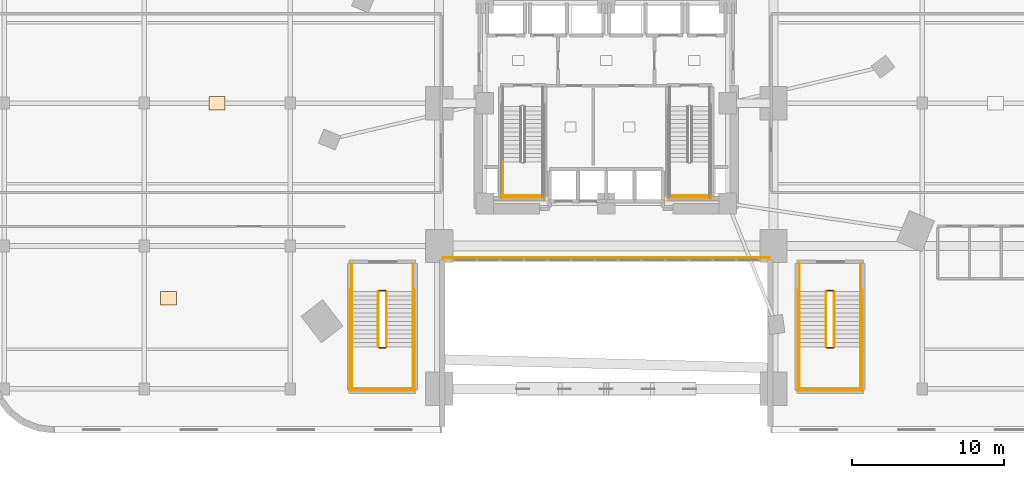
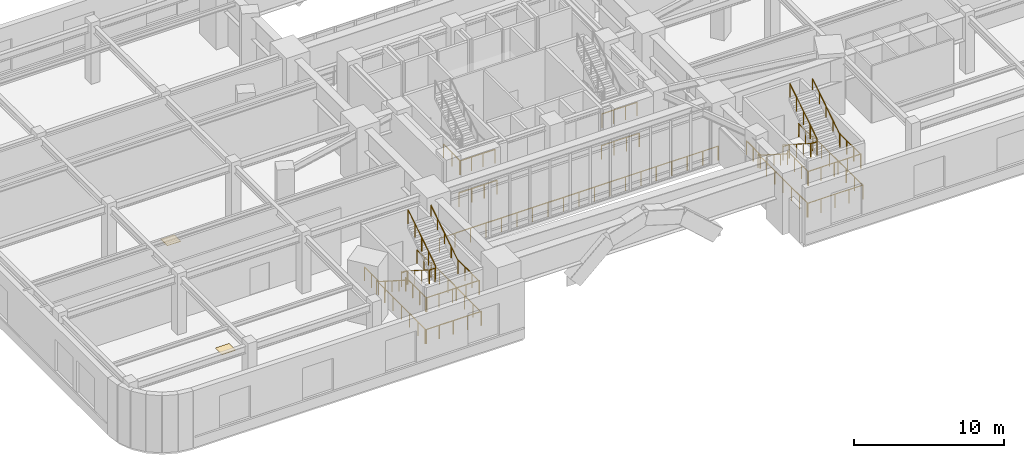
# One storey, part 23 of 25: 34 railings, 2 coverings.
"""IFC4 building model written with IfcOpenShell, lengths in metres."""

import ifcopenshell
import ifcopenshell.guid

model = None  # the IFC model being written
_history = None  # IfcOwnerHistory: only IFC2X3 demands one
_inside = {}  # id of a spatial element -> (the spatial element, [elements in it])
_under = {}  # id of a project, library or spatial element -> (it, [spatial elements below it])
_declared = {}  # id of a project -> (the project, [libraries it declares])
_typed = {}  # id of a type object -> (the type object, [elements of that type])
_made_of = {}  # id of a material, layer set ... -> (it, [elements and type objects made of it])


def new_model(schema):
    """Start an empty IFC model of exactly this schema.

    Asked for "IFC4X3", IfcOpenShell would pick the latest addendum, in which some entities
    have other attributes; the version numbers below select the first issue.
    IFC2X3 requires an IfcOwnerHistory on every rooted entity: one is made here for all.
    """
    global model, _history
    if schema == "IFC4X3":
        model = ifcopenshell.file(schema_version=(4, 3, 0, 0))
    else:
        model = ifcopenshell.file(schema=schema)
    _inside.clear()
    _under.clear()
    _declared.clear()
    _typed.clear()
    _made_of.clear()
    _history = None
    if model.schema == "IFC2X3":
        org = make("IfcOrganization", Name="unknown")
        user = make(
            "IfcPersonAndOrganization",
            ThePerson=make("IfcPerson", FamilyName="unknown"),
            TheOrganization=org,
        )
        app = make(
            "IfcApplication",
            ApplicationDeveloper=org,
            Version="unknown",
            ApplicationFullName="unknown",
            ApplicationIdentifier="unknown",
        )
        _history = make(
            "IfcOwnerHistory",
            OwningUser=user,
            OwningApplication=app,
            ChangeAction="ADDED",
            CreationDate=0,
        )
    return model


def make(cls, **values):
    """One entity of the class cls with the attributes given. An attribute that is None is left unset."""
    return model.create_entity(
        cls, **{name: value for name, value in values.items() if value is not None}
    )


def rooted(cls, **values):
    """An entity with a GlobalId (a new one), such as an element, a storey or a relation."""
    return make(cls, GlobalId=ifcopenshell.guid.new(), OwnerHistory=_history, **values)


def si_unit(unit_type, name, prefix=None):
    """IfcSIUnit, for example si_unit("LENGTHUNIT", "METRE", prefix="MILLI")."""
    return make("IfcSIUnit", UnitType=unit_type, Prefix=prefix, Name=name)


def assignment(units):
    """IfcUnitAssignment: the units of a project."""
    return None if units is None else make("IfcUnitAssignment", Units=units)


def point(xyz):
    """IfcCartesianPoint."""
    return None if xyz is None else make("IfcCartesianPoint", Coordinates=xyz)


def direction(xyz):
    """IfcDirection."""
    return None if xyz is None else make("IfcDirection", DirectionRatios=xyz)


def frame(location, z_axis=None, x_axis=None):
    """IfcAxis2Placement3D, a coordinate frame: its origin and axes. An axis left out is left unset."""
    return make(
        "IfcAxis2Placement3D",
        Location=point(location),
        Axis=direction(z_axis),
        RefDirection=direction(x_axis),
    )


def frame_2d(location, x_axis=None):
    """IfcAxis2Placement2D, a coordinate frame in the plane: its origin and x axis."""
    return make(
        "IfcAxis2Placement2D", Location=point(location), RefDirection=direction(x_axis)
    )


def origin():
    """The frame at (0, 0, 0) with its axes left unset."""
    return frame((0.0, 0.0, 0.0))


def origin_2d():
    """The frame at (0, 0) in the plane with its x axis left unset."""
    return frame_2d((0.0, 0.0))


def place(relative_to, where):
    """IfcLocalPlacement: puts the frame where relative to a parent placement (None: the world)."""
    return make(
        "IfcLocalPlacement", PlacementRelTo=relative_to, RelativePlacement=where
    )


def context(
    kind, dimensions, precision=None, world=None, true_north=None, identifier=None
):
    """IfcGeometricRepresentationContext, for example the 3D "Model" context."""
    return make(
        "IfcGeometricRepresentationContext",
        ContextIdentifier=identifier,
        ContextType=kind,
        CoordinateSpaceDimension=dimensions,
        Precision=precision,
        WorldCoordinateSystem=world,
        TrueNorth=true_north,
    )


def subcontext(parent, identifier, kind, view, scale=None):
    """IfcGeometricRepresentationSubContext, for example "Body" below "Model"."""
    return make(
        "IfcGeometricRepresentationSubContext",
        ContextIdentifier=identifier,
        ContextType=kind,
        ParentContext=parent,
        TargetScale=scale,
        TargetView=view,
    )


def project(units=None, contexts=None):
    """IfcProject with its units and contexts."""
    return rooted(
        "IfcProject",
        Name="project",
        RepresentationContexts=contexts,
        UnitsInContext=assignment(units),
    )


def spatial(cls, under=None, at=None, **own):
    """A site, building, storey or space (cls), placed at a placement, below another one or the project."""
    s = rooted(cls, ObjectPlacement=at, **own)
    if under is not None:
        _under.setdefault(under.id(), (under, []))[1].append(s)
    return s


def profile(cls, at=None, kind="AREA", **sizes):
    """A parametric profile (cls). Its sizes go by their IFC names, for example OverallWidth=200.0."""
    return make(cls, ProfileType=kind, Position=at, **sizes)


def rectangle(**sizes):
    """IfcRectangleProfileDef."""
    return profile("IfcRectangleProfileDef", **sizes)


def circle(**sizes):
    """IfcCircleProfileDef."""
    return profile("IfcCircleProfileDef", **sizes)


def extrude(swept, where, along, depth):
    """IfcExtrudedAreaSolid: the profile swept, set in the frame where, extruded along a direction by depth."""
    return make(
        "IfcExtrudedAreaSolid",
        SweptArea=swept,
        Position=where,
        ExtrudedDirection=direction(along),
        Depth=depth,
    )


def shape(context_of_items, identifier, shape_type, items):
    """IfcShapeRepresentation: the items that make up one representation, for example the "Body"."""
    return make(
        "IfcShapeRepresentation",
        ContextOfItems=context_of_items,
        RepresentationIdentifier=identifier,
        RepresentationType=shape_type,
        Items=items,
    )


def material(Name=None, Category=None):
    """IfcMaterial."""
    return make("IfcMaterial", Name=Name, Category=Category)


def layer(
    of_material, thickness, ventilated=None, Name=None, Category=None, Priority=None
):
    """IfcMaterialLayer: one layer of a wall or slab, of a material (None: an air gap)."""
    return make(
        "IfcMaterialLayer",
        Material=of_material,
        LayerThickness=thickness,
        IsVentilated=ventilated,
        Name=Name,
        Category=Category,
        Priority=Priority,
    )


def layer_set(layers, Name=None):
    """IfcMaterialLayerSet."""
    return make("IfcMaterialLayerSet", MaterialLayers=layers, LayerSetName=Name)


def made_of(thing, what):
    """Note that an element or type object is made of a material, layer set ...; save() writes the relation."""
    if what is not None:
        _made_of.setdefault(what.id(), (what, []))[1].append(thing)
    return thing


def type_object(cls, material=None, **own):
    """A type object (cls), such as IfcWallType, which elements share."""
    return made_of(rooted(cls, **own), material)


def element(
    cls,
    number,
    at=None,
    inside=None,
    cuts=None,
    type_object=None,
    material=None,
    context=None,
    identifier="Body",
    shape_type=None,
    held_by="IfcProductDefinitionShape",
    body=None,
    shapes=None,
    **own,
):
    """One element of the class cls, such as IfcWall. Its Tag is "e" and its number.

    at: its placement. inside: the storey or other place that contains it. cuts: it is an
    opening in that element (IfcRelVoidsElement). A single representation is given by context,
    identifier, shape_type and body (its items); several are given by shapes. held_by: the class
    of the entity that holds the representations. save() writes the other relations.
    """
    e = rooted(cls, Tag="e%d" % number, ObjectPlacement=at, **own)
    if body is not None:
        shapes = [shape(context, identifier, shape_type, body)]
    if shapes is not None:
        e.Representation = make(held_by, Representations=shapes)
    if inside is not None:
        _inside.setdefault(inside.id(), (inside, []))[1].append(e)
    if cuts is not None:
        rooted(
            "IfcRelVoidsElement", RelatingBuildingElement=cuts, RelatedOpeningElement=e
        )
    if type_object is not None:
        _typed.setdefault(type_object.id(), (type_object, []))[1].append(e)
    return made_of(e, material)


def aggregate(whole, parts):
    """IfcRelAggregates: a whole, such as a stair, and the parts it consists of."""
    return rooted("IfcRelAggregates", RelatingObject=whole, RelatedObjects=parts)


def save(model, path):
    """Write the relations noted so far, then the file.

    IfcRelAggregates (storeys below a building ...), IfcRelContainedInSpatialStructure (elements
    in a storey), IfcRelDefinesByType, IfcRelAssociatesMaterial and IfcRelDeclares: one each for
    every whole, place, type object, material and project.
    """
    for whole, parts in _under.values():
        aggregate(whole, parts)
    for where, things in _inside.values():
        rooted(
            "IfcRelContainedInSpatialStructure",
            RelatedElements=things,
            RelatingStructure=where,
        )
    for kind, things in _typed.values():
        rooted("IfcRelDefinesByType", RelatedObjects=things, RelatingType=kind)
    for what, things in _made_of.values():
        rooted("IfcRelAssociatesMaterial", RelatedObjects=things, RelatingMaterial=what)
    for by, libraries in _declared.values():
        rooted("IfcRelDeclares", RelatingContext=by, RelatedDefinitions=libraries)
    model.write(path)


model = new_model("IFC4")

# Units and contexts
model_context = context("Model", 3, precision=1e-05, world=origin(), true_north=direction((0.0, 1.0)))
body_context = subcontext(model_context, "Body", "Model", "MODEL_VIEW")
ifc_project = project(units=[si_unit("LENGTHUNIT", "METRE"), si_unit("AREAUNIT", "SQUARE_METRE"), si_unit("VOLUMEUNIT", "CUBIC_METRE"), si_unit("PLANEANGLEUNIT", "RADIAN"), si_unit("MASSUNIT", "GRAM", prefix="KILO")], contexts=[model_context])

# Site, building, storey
site_placement = place(None, origin())
site = spatial("IfcSite", under=ifc_project, at=site_placement, CompositionType="ELEMENT")
building_placement = place(site_placement, origin())
building = spatial("IfcBuilding", under=site, at=building_placement, Name="Ndelora Gate Hotel", CompositionType="ELEMENT")
storey_placement = place(building_placement, frame((0.0, 0.0, 11.0)))
storey = spatial("IfcBuildingStorey", under=building, at=storey_placement, Name="L02", CompositionType="ELEMENT", Elevation=11.0)

# Coverings
ifc_material_1 = material(Name="Engineered Highland Oak Parquet", Category="wood")
ifc_layer_1 = layer(ifc_material_1, 0.030029296875)
ifc_layer_set_1 = layer_set([ifc_layer_1], Name="Engineered Highland Oak Parquet")
covering_type = type_object("IfcCoveringType", Name="COV-FLR-PARQ", PredefinedType="FLOORING", material=ifc_layer_set_1)
for number, where, z_axis, x_axis, name in (
    (1, (-25.625, 0.0, 0.0), (0.0, 0.0, 1.0), (1.0, 0.0, 0.0), "L02 Portal Arch Sculpture Salon Oak Parquet Flooring"),
    (2, (-28.800048828125, -12.82861328125, 0.0), (0.0, 0.0, 1.0), (1.0, 0.0, 0.0), "L02 Private Sommelier Tasting Room Oak Parquet Flooring"),
):
    element("IfcCovering", number, at=place(storey_placement, frame(where, z_axis=z_axis, x_axis=x_axis)), inside=storey, type_object=covering_type, Name=name, PredefinedType="FLOORING", context=body_context, shape_type="SweptSolid", body=[
        extrude(rectangle(XDim=1.050048828125, YDim=0.89990234375, at=origin_2d()), origin(), (0.0, 0.0, 1.0), 0.030029296875),
    ])

# Railings
ifc_material_2 = material(Name="Laminated Safety Glass and Bronze Top Rail", Category="glass")
ifc_layer_2 = layer(ifc_material_2, 0.070068359375)
ifc_layer_set_2 = layer_set([ifc_layer_2], Name="Laminated Safety Glass and Bronze Top Rail")
railing_type_1 = type_object("IfcRailingType", Name="RL-BAL-1150", PredefinedType="BALUSTRADE", material=ifc_layer_set_2)
railing_1_placement = place(storey_placement, frame((-10.75, -10.179931640625, 0.0)))
element("IfcRailing", 3, at=railing_1_placement, inside=storey, type_object=railing_type_1, Name="L02 Portal Arch Atrium Edge Guard S-BRIDGE", PredefinedType="BALUSTRADE", context=body_context, shape_type="SweptSolid", body=[
    extrude(circle(Radius=0.02392578125, at=origin_2d()), frame((0.0, 0.0, 1.1357421875), z_axis=(1.0, 0.0, 0.0), x_axis=(0.0, 1.0, 0.0)), (0.0, 0.0, 1.0), 21.5),
    extrude(circle(Radius=0.02099609375, at=origin_2d()), origin(), (0.0, 0.0, 1.0), 1.11181640625),
    extrude(circle(Radius=0.02099609375, at=origin_2d()), frame((1.1943359375, 0.0, 0.0)), (0.0, 0.0, 1.0), 1.11181640625),
    extrude(circle(Radius=0.02099609375, at=origin_2d()), frame((2.388916015625, 0.0, 0.0)), (0.0, 0.0, 1.0), 1.11181640625),
    extrude(circle(Radius=0.02099609375, at=origin_2d()), frame((3.583251953125, 0.0, 0.0)), (0.0, 0.0, 1.0), 1.11181640625),
    extrude(circle(Radius=0.02099609375, at=origin_2d()), frame((4.77783203125, 0.0, 0.0)), (0.0, 0.0, 1.0), 1.11181640625),
    extrude(circle(Radius=0.02099609375, at=origin_2d()), frame((5.97216796875, 0.0, 0.0)), (0.0, 0.0, 1.0), 1.11181640625),
    extrude(circle(Radius=0.02099609375, at=origin_2d()), frame((7.166748046875, 0.0, 0.0)), (0.0, 0.0, 1.0), 1.11181640625),
    extrude(circle(Radius=0.02099609375, at=origin_2d()), frame((8.361083984375, 0.0, 0.0)), (0.0, 0.0, 1.0), 1.11181640625),
    extrude(circle(Radius=0.02099609375, at=origin_2d()), frame((9.5556640625, 0.0, 0.0)), (0.0, 0.0, 1.0), 1.11181640625),
    extrude(circle(Radius=0.02099609375, at=origin_2d()), frame((10.75, 0.0, 0.0)), (0.0, 0.0, 1.0), 1.11181640625),
    extrude(circle(Radius=0.02099609375, at=origin_2d()), frame((11.9443359375, 0.0, 0.0)), (0.0, 0.0, 1.0), 1.11181640625),
    extrude(circle(Radius=0.02099609375, at=origin_2d()), frame((13.138916015625, 0.0, 0.0)), (0.0, 0.0, 1.0), 1.11181640625),
    extrude(circle(Radius=0.02099609375, at=origin_2d()), frame((14.333251953125, 0.0, 0.0)), (0.0, 0.0, 1.0), 1.11181640625),
    extrude(circle(Radius=0.02099609375, at=origin_2d()), frame((15.52783203125, 0.0, 0.0)), (0.0, 0.0, 1.0), 1.11181640625),
    extrude(circle(Radius=0.02099609375, at=origin_2d()), frame((16.72216796875, 0.0, 0.0)), (0.0, 0.0, 1.0), 1.11181640625),
    extrude(circle(Radius=0.02099609375, at=origin_2d()), frame((17.916748046875, 0.0, 0.0)), (0.0, 0.0, 1.0), 1.11181640625),
    extrude(circle(Radius=0.02099609375, at=origin_2d()), frame((19.111083984375, 0.0, 0.0)), (0.0, 0.0, 1.0), 1.11181640625),
    extrude(circle(Radius=0.02099609375, at=origin_2d()), frame((20.3056640625, 0.0, 0.0)), (0.0, 0.0, 1.0), 1.11181640625),
    extrude(circle(Radius=0.02099609375, at=origin_2d()), frame((21.5, 0.0, 0.0)), (0.0, 0.0, 1.0), 1.11181640625),
])
ifc_material_3 = material(Name="Painted Galvanized Steel Balustrade", Category="steel")
ifc_layer_3 = layer(ifc_material_3, 0.06005859375)
ifc_layer_set_3 = layer_set([ifc_layer_3], Name="Painted Galvanized Steel Balustrade")
railing_type_2 = type_object("IfcRailingType", Name="RL-STAIR-GD", PredefinedType="GUARDRAIL", material=ifc_layer_set_3)
railing_2_placement = place(storey_placement, frame((-6.800048828125, -3.8701171875, 2.5)))
element("IfcRailing", 4, at=railing_2_placement, inside=storey, type_object=railing_type_2, Name="L02 ST4 stair guard 3", PredefinedType="GUARDRAIL", context=body_context, shape_type="SweptSolid", body=[
    extrude(circle(Radius=0.02392578125, at=origin_2d()), frame((0.0, 0.0, 1.10595703125), z_axis=(0.0, -1.0, 0.0), x_axis=(1.0, 0.0, 0.0)), (0.0, 0.0, 1.0), 2.27978515625),
    extrude(circle(Radius=0.02099609375, at=origin_2d()), origin(), (0.0, 0.0, 1.0), 1.081787109375),
    extrude(circle(Radius=0.02099609375, at=origin_2d()), frame((0.0, -1.139892578125, 0.0)), (0.0, 0.0, 1.0), 1.081787109375),
    extrude(circle(Radius=0.02099609375, at=origin_2d()), frame((0.0, -2.27978515625, 0.0)), (0.0, 0.0, 1.0), 1.081787109375),
])
railing_3_placement = place(storey_placement, frame((-6.85009765625, -6.10009765625, 2.5)))
element("IfcRailing", 5, at=railing_3_placement, inside=storey, type_object=railing_type_2, Name="L02 ST4 stair guard 5", PredefinedType="GUARDRAIL", context=body_context, shape_type="SweptSolid", body=[
    extrude(circle(Radius=0.02392578125, at=origin_2d()), frame((0.0, 0.0, 1.10595703125), z_axis=(1.0, 0.0, 0.0), x_axis=(0.0, 1.0, 0.0)), (0.0, 0.0, 1.0), 2.72021484375),
    extrude(circle(Radius=0.02099609375, at=origin_2d()), origin(), (0.0, 0.0, 1.0), 1.081787109375),
    extrude(circle(Radius=0.02099609375, at=origin_2d()), frame((0.90673828125, 0.0, 0.0)), (0.0, 0.0, 1.0), 1.081787109375),
    extrude(circle(Radius=0.02099609375, at=origin_2d()), frame((1.8134765625, 0.0, 0.0)), (0.0, 0.0, 1.0), 1.081787109375),
    extrude(circle(Radius=0.02099609375, at=origin_2d()), frame((2.72021484375, 0.0, 0.0)), (0.0, 0.0, 1.0), 1.081787109375),
])
railing_4_placement = place(storey_placement, frame((-6.949951171875, -6.199951171875, 0.0)))
element("IfcRailing", 6, at=railing_4_placement, inside=storey, type_object=railing_type_2, Name="L02 ST4 stair guard 12", PredefinedType="GUARDRAIL", context=body_context, shape_type="SweptSolid", body=[
    extrude(circle(Radius=0.02392578125, at=origin_2d()), frame((0.0, 0.0, 1.10595703125), z_axis=(1.0, 0.0, 0.0), x_axis=(0.0, 1.0, 0.0)), (0.0, 0.0, 1.0), 2.919921875),
    extrude(circle(Radius=0.02099609375, at=origin_2d()), origin(), (0.0, 0.0, 1.0), 1.081787109375),
    extrude(circle(Radius=0.02099609375, at=origin_2d()), frame((0.973388671875, 0.0, 0.0)), (0.0, 0.0, 1.0), 1.081787109375),
    extrude(circle(Radius=0.02099609375, at=origin_2d()), frame((1.946533203125, 0.0, 0.0)), (0.0, 0.0, 1.0), 1.081787109375),
    extrude(circle(Radius=0.02099609375, at=origin_2d()), frame((2.919921875, 0.0, 0.0)), (0.0, 0.0, 1.0), 1.081787109375),
])
railing_5_placement = place(storey_placement, frame((4.1298828125, -6.10009765625, 2.5)))
element("IfcRailing", 7, at=railing_5_placement, inside=storey, type_object=railing_type_2, Name="L02 ST5 stair guard 5", PredefinedType="GUARDRAIL", context=body_context, shape_type="SweptSolid", body=[
    extrude(circle(Radius=0.02392578125, at=origin_2d()), frame((0.0, 0.0, 1.10595703125), z_axis=(1.0, 0.0, 0.0), x_axis=(0.0, 1.0, 0.0)), (0.0, 0.0, 1.0), 2.72021484375),
    extrude(circle(Radius=0.02099609375, at=origin_2d()), origin(), (0.0, 0.0, 1.0), 1.081787109375),
    extrude(circle(Radius=0.02099609375, at=origin_2d()), frame((0.90673828125, 0.0, 0.0)), (0.0, 0.0, 1.0), 1.081787109375),
    extrude(circle(Radius=0.02099609375, at=origin_2d()), frame((1.8134765625, 0.0, 0.0)), (0.0, 0.0, 1.0), 1.081787109375),
    extrude(circle(Radius=0.02099609375, at=origin_2d()), frame((2.72021484375, 0.0, 0.0)), (0.0, 0.0, 1.0), 1.081787109375),
])
railing_6_placement = place(storey_placement, frame((4.030029296875, -6.199951171875, 0.0)))
element("IfcRailing", 8, at=railing_6_placement, inside=storey, type_object=railing_type_2, Name="L02 ST5 stair guard 12", PredefinedType="GUARDRAIL", context=body_context, shape_type="SweptSolid", body=[
    extrude(circle(Radius=0.02392578125, at=origin_2d()), frame((0.0, 0.0, 1.10595703125), z_axis=(1.0, 0.0, 0.0), x_axis=(0.0, 1.0, 0.0)), (0.0, 0.0, 1.0), 2.919921875),
    extrude(circle(Radius=0.02099609375, at=origin_2d()), origin(), (0.0, 0.0, 1.0), 1.081787109375),
    extrude(circle(Radius=0.02099609375, at=origin_2d()), frame((0.973388671875, 0.0, 0.0)), (0.0, 0.0, 1.0), 1.081787109375),
    extrude(circle(Radius=0.02099609375, at=origin_2d()), frame((1.946533203125, 0.0, 0.0)), (0.0, 0.0, 1.0), 1.081787109375),
    extrude(circle(Radius=0.02099609375, at=origin_2d()), frame((2.919921875, 0.0, 0.0)), (0.0, 0.0, 1.0), 1.081787109375),
])
railing_7_placement = place(storey_placement, frame((-15.0, -12.39990234375, 0.178466796875)))
element("IfcRailing", 9, at=railing_7_placement, inside=storey, type_object=railing_type_2, Name="L02 ST3A stair guard 1", PredefinedType="GUARDRAIL", context=body_context, shape_type="SweptSolid", body=[
    extrude(circle(Radius=0.02392578125, at=origin_2d()), frame((0.0, 0.0, 1.10595703125), z_axis=(0.0, -0.843127859045, 0.537713132908), x_axis=(1.0, 0.0, 0.0)), (0.0, 0.0, 1.0), 4.3173828125),
    extrude(circle(Radius=0.02099609375, at=origin_2d()), origin(), (0.0, 0.0, 1.0), 1.081787109375),
    extrude(circle(Radius=0.02099609375, at=origin_2d()), frame((0.0, -0.91015625, 0.580322265625)), (0.0, 0.0, 1.0), 1.081787109375),
    extrude(circle(Radius=0.02099609375, at=origin_2d()), frame((0.0, -1.820068359375, 1.16064453125)), (0.0, 0.0, 1.0), 1.081787109375),
    extrude(circle(Radius=0.02099609375, at=origin_2d()), frame((0.0, -2.72998046875, 1.7412109375)), (0.0, 0.0, 1.0), 1.081787109375),
    extrude(circle(Radius=0.02099609375, at=origin_2d()), frame((0.0, -3.64013671875, 2.321533203125)), (0.0, 0.0, 1.0), 1.081787109375),
])
railing_8_placement = place(storey_placement, frame((-14.949951171875, -16.090087890625, 2.5)))
element("IfcRailing", 10, at=railing_8_placement, inside=storey, type_object=railing_type_2, Name="L02 ST3A stair guard 2", PredefinedType="GUARDRAIL", context=body_context, shape_type="SweptSolid", body=[
    extrude(circle(Radius=0.02392578125, at=origin_2d()), frame((0.0, 0.0, 1.10595703125), z_axis=(1.0, 0.0, 0.0), x_axis=(0.0, 1.0, 0.0)), (0.0, 0.0, 1.0), 0.43994140625),
    extrude(circle(Radius=0.02099609375, at=origin_2d()), origin(), (0.0, 0.0, 1.0), 1.081787109375),
    extrude(circle(Radius=0.02099609375, at=origin_2d()), frame((0.43994140625, 0.0, 0.0)), (0.0, 0.0, 1.0), 1.081787109375),
])
for number, where, name in (
    (11, (-16.75, -16.0400390625, 2.5), "L02 ST3A stair guard 3"),
    (12, (-12.7099609375, -16.0400390625, 2.5), "L02 ST3A stair guard 4"),
):
    element("IfcRailing", number, at=place(storey_placement, frame(where)), inside=storey, type_object=railing_type_2, Name=name, PredefinedType="GUARDRAIL", context=body_context, shape_type="SweptSolid", body=[
        extrude(circle(Radius=0.02392578125, at=origin_2d()), frame((0.0, 0.0, 1.10595703125), z_axis=(0.0, -1.0, 0.0), x_axis=(1.0, 0.0, 0.0)), (0.0, 0.0, 1.0), 2.81005859375),
        extrude(circle(Radius=0.02099609375, at=origin_2d()), origin(), (0.0, 0.0, 1.0), 1.081787109375),
        extrude(circle(Radius=0.02099609375, at=origin_2d()), frame((0.0, -0.936767578125, 0.0)), (0.0, 0.0, 1.0), 1.081787109375),
        extrude(circle(Radius=0.02099609375, at=origin_2d()), frame((0.0, -1.873291015625, 0.0)), (0.0, 0.0, 1.0), 1.081787109375),
        extrude(circle(Radius=0.02099609375, at=origin_2d()), frame((0.0, -2.81005859375, 0.0)), (0.0, 0.0, 1.0), 1.081787109375),
    ])
railing_9_placement = place(storey_placement, frame((-16.800048828125, -18.800048828125, 2.5)))
element("IfcRailing", 13, at=railing_9_placement, inside=storey, type_object=railing_type_2, Name="L02 ST3A stair guard 5", PredefinedType="GUARDRAIL", context=body_context, shape_type="SweptSolid", body=[
    extrude(circle(Radius=0.02392578125, at=origin_2d()), frame((0.0, 0.0, 1.10595703125), z_axis=(1.0, 0.0, 0.0), x_axis=(0.0, 1.0, 0.0)), (0.0, 0.0, 1.0), 4.14013671875),
    extrude(circle(Radius=0.02099609375, at=origin_2d()), origin(), (0.0, 0.0, 1.0), 1.081787109375),
    extrude(circle(Radius=0.02099609375, at=origin_2d()), frame((1.03515625, 0.0, 0.0)), (0.0, 0.0, 1.0), 1.081787109375),
    extrude(circle(Radius=0.02099609375, at=origin_2d()), frame((2.070068359375, 0.0, 0.0)), (0.0, 0.0, 1.0), 1.081787109375),
    extrude(circle(Radius=0.02099609375, at=origin_2d()), frame((3.10498046875, 0.0, 0.0)), (0.0, 0.0, 1.0), 1.081787109375),
    extrude(circle(Radius=0.02099609375, at=origin_2d()), frame((4.14013671875, 0.0, 0.0)), (0.0, 0.0, 1.0), 1.081787109375),
])
railing_10_placement = place(storey_placement, frame((-14.4599609375, -16.0400390625, 2.678466796875)))
element("IfcRailing", 14, at=railing_10_placement, inside=storey, type_object=railing_type_2, Name="L02 ST3A stair guard 6", PredefinedType="GUARDRAIL", context=body_context, shape_type="SweptSolid", body=[
    extrude(circle(Radius=0.02392578125, at=origin_2d()), frame((0.0, 0.0, 1.10595703125), z_axis=(0.0, 0.843127859045, 0.537713132908), x_axis=(-1.0, 0.0, 0.0)), (0.0, 0.0, 1.0), 4.3173828125),
    extrude(circle(Radius=0.02099609375, at=origin_2d()), origin(), (0.0, 0.0, 1.0), 1.081787109375),
    extrude(circle(Radius=0.02099609375, at=origin_2d()), frame((0.0, 0.91015625, 0.580322265625)), (0.0, 0.0, 1.0), 1.081787109375),
    extrude(circle(Radius=0.02099609375, at=origin_2d()), frame((0.0, 1.820068359375, 1.16064453125)), (0.0, 0.0, 1.0), 1.081787109375),
    extrude(circle(Radius=0.02099609375, at=origin_2d()), frame((0.0, 2.72998046875, 1.7412109375)), (0.0, 0.0, 1.0), 1.081787109375),
    extrude(circle(Radius=0.02099609375, at=origin_2d()), frame((0.0, 3.64013671875, 2.321533203125)), (0.0, 0.0, 1.0), 1.081787109375),
])
railing_11_placement = place(storey_placement, frame((-14.949951171875, -12.35009765625, 0.0)))
element("IfcRailing", 15, at=railing_11_placement, inside=storey, type_object=railing_type_2, Name="L02 ST3A stair guard 7", PredefinedType="GUARDRAIL", context=body_context, shape_type="SweptSolid", body=[
    extrude(circle(Radius=0.02392578125, at=origin_2d()), frame((0.0, 0.0, 1.10595703125), z_axis=(1.0, 0.0, 0.0), x_axis=(0.0, 1.0, 0.0)), (0.0, 0.0, 1.0), 0.43994140625),
    extrude(circle(Radius=0.02099609375, at=origin_2d()), origin(), (0.0, 0.0, 1.0), 1.081787109375),
    extrude(circle(Radius=0.02099609375, at=origin_2d()), frame((0.43994140625, 0.0, 0.0)), (0.0, 0.0, 1.0), 1.081787109375),
])
for number, where, name in (
    (16, (-16.75, -10.550048828125, 0.0), "L02 ST3A stair guard 8"),
    (17, (-12.7099609375, -10.550048828125, 0.0), "L02 ST3A stair guard 9"),
):
    element("IfcRailing", number, at=place(storey_placement, frame(where)), inside=storey, type_object=railing_type_2, Name=name, PredefinedType="GUARDRAIL", context=body_context, shape_type="SweptSolid", body=[
        extrude(circle(Radius=0.02392578125, at=origin_2d()), frame((0.0, 0.0, 1.10595703125), z_axis=(0.0, -1.0, 0.0), x_axis=(1.0, 0.0, 0.0)), (0.0, 0.0, 1.0), 1.849853515625),
        extrude(circle(Radius=0.02099609375, at=origin_2d()), origin(), (0.0, 0.0, 1.0), 1.081787109375),
        extrude(circle(Radius=0.02099609375, at=origin_2d()), frame((0.0, -0.9248046875, 0.0)), (0.0, 0.0, 1.0), 1.081787109375),
        extrude(circle(Radius=0.02099609375, at=origin_2d()), frame((0.0, -1.849853515625, 0.0)), (0.0, 0.0, 1.0), 1.081787109375),
    ])
for number, where, name in (
    (18, (-16.85009765625, -12.300048828125, 0.0), "L02 ST3A stair guard 10"),
    (19, (-12.610107421875, -12.300048828125, 0.0), "L02 ST3A stair guard 11"),
):
    element("IfcRailing", number, at=place(storey_placement, frame(where)), inside=storey, type_object=railing_type_2, Name=name, PredefinedType="GUARDRAIL", context=body_context, shape_type="SweptSolid", body=[
        extrude(circle(Radius=0.02392578125, at=origin_2d()), frame((0.0, 0.0, 1.10595703125), z_axis=(0.0, -1.0, 0.0), x_axis=(1.0, 0.0, 0.0)), (0.0, 0.0, 1.0), 6.64990234375),
        extrude(circle(Radius=0.02099609375, at=origin_2d()), origin(), (0.0, 0.0, 1.0), 1.081787109375),
        extrude(circle(Radius=0.02099609375, at=origin_2d()), frame((0.0, -1.1083984375, 0.0)), (0.0, 0.0, 1.0), 1.081787109375),
        extrude(circle(Radius=0.02099609375, at=origin_2d()), frame((0.0, -2.216552734375, 0.0)), (0.0, 0.0, 1.0), 1.081787109375),
        extrude(circle(Radius=0.02099609375, at=origin_2d()), frame((0.0, -3.324951171875, 0.0)), (0.0, 0.0, 1.0), 1.081787109375),
        extrude(circle(Radius=0.02099609375, at=origin_2d()), frame((0.0, -4.433349609375, 0.0)), (0.0, 0.0, 1.0), 1.081787109375),
        extrude(circle(Radius=0.02099609375, at=origin_2d()), frame((0.0, -5.54150390625, 0.0)), (0.0, 0.0, 1.0), 1.081787109375),
        extrude(circle(Radius=0.02099609375, at=origin_2d()), frame((0.0, -6.64990234375, 0.0)), (0.0, 0.0, 1.0), 1.081787109375),
    ])
railing_12_placement = place(storey_placement, frame((-16.89990234375, -18.89990234375, 0.0)))
element("IfcRailing", 20, at=railing_12_placement, inside=storey, type_object=railing_type_2, Name="L02 ST3A stair guard 12", PredefinedType="GUARDRAIL", context=body_context, shape_type="SweptSolid", body=[
    extrude(circle(Radius=0.02392578125, at=origin_2d()), frame((0.0, 0.0, 1.10595703125), z_axis=(1.0, 0.0, 0.0), x_axis=(0.0, 1.0, 0.0)), (0.0, 0.0, 1.0), 4.33984375),
    extrude(circle(Radius=0.02099609375, at=origin_2d()), origin(), (0.0, 0.0, 1.0), 1.081787109375),
    extrude(circle(Radius=0.02099609375, at=origin_2d()), frame((1.0849609375, 0.0, 0.0)), (0.0, 0.0, 1.0), 1.081787109375),
    extrude(circle(Radius=0.02099609375, at=origin_2d()), frame((2.169921875, 0.0, 0.0)), (0.0, 0.0, 1.0), 1.081787109375),
    extrude(circle(Radius=0.02099609375, at=origin_2d()), frame((3.2548828125, 0.0, 0.0)), (0.0, 0.0, 1.0), 1.081787109375),
    extrude(circle(Radius=0.02099609375, at=origin_2d()), frame((4.33984375, 0.0, 0.0)), (0.0, 0.0, 1.0), 1.081787109375),
])
railing_13_placement = place(storey_placement, frame((14.4599609375, -12.39990234375, 0.178466796875)))
element("IfcRailing", 21, at=railing_13_placement, inside=storey, type_object=railing_type_2, Name="L02 ST3B stair guard 1", PredefinedType="GUARDRAIL", context=body_context, shape_type="SweptSolid", body=[
    extrude(circle(Radius=0.02392578125, at=origin_2d()), frame((0.0, 0.0, 1.10595703125), z_axis=(0.0, -0.843127859045, 0.537713132908), x_axis=(1.0, 0.0, 0.0)), (0.0, 0.0, 1.0), 4.3173828125),
    extrude(circle(Radius=0.02099609375, at=origin_2d()), origin(), (0.0, 0.0, 1.0), 1.081787109375),
    extrude(circle(Radius=0.02099609375, at=origin_2d()), frame((0.0, -0.91015625, 0.580322265625)), (0.0, 0.0, 1.0), 1.081787109375),
    extrude(circle(Radius=0.02099609375, at=origin_2d()), frame((0.0, -1.820068359375, 1.16064453125)), (0.0, 0.0, 1.0), 1.081787109375),
    extrude(circle(Radius=0.02099609375, at=origin_2d()), frame((0.0, -2.72998046875, 1.7412109375)), (0.0, 0.0, 1.0), 1.081787109375),
    extrude(circle(Radius=0.02099609375, at=origin_2d()), frame((0.0, -3.64013671875, 2.321533203125)), (0.0, 0.0, 1.0), 1.081787109375),
])
railing_14_placement = place(storey_placement, frame((14.510009765625, -16.090087890625, 2.5)))
element("IfcRailing", 22, at=railing_14_placement, inside=storey, type_object=railing_type_2, Name="L02 ST3B stair guard 2", PredefinedType="GUARDRAIL", context=body_context, shape_type="SweptSolid", body=[
    extrude(circle(Radius=0.02392578125, at=origin_2d()), frame((0.0, 0.0, 1.10595703125), z_axis=(1.0, 0.0, 0.0), x_axis=(0.0, 1.0, 0.0)), (0.0, 0.0, 1.0), 0.43994140625),
    extrude(circle(Radius=0.02099609375, at=origin_2d()), origin(), (0.0, 0.0, 1.0), 1.081787109375),
    extrude(circle(Radius=0.02099609375, at=origin_2d()), frame((0.43994140625, 0.0, 0.0)), (0.0, 0.0, 1.0), 1.081787109375),
])
for number, where, name in (
    (23, (12.7099609375, -16.0400390625, 2.5), "L02 ST3B stair guard 3"),
    (24, (16.75, -16.0400390625, 2.5), "L02 ST3B stair guard 4"),
):
    element("IfcRailing", number, at=place(storey_placement, frame(where)), inside=storey, type_object=railing_type_2, Name=name, PredefinedType="GUARDRAIL", context=body_context, shape_type="SweptSolid", body=[
        extrude(circle(Radius=0.02392578125, at=origin_2d()), frame((0.0, 0.0, 1.10595703125), z_axis=(0.0, -1.0, 0.0), x_axis=(1.0, 0.0, 0.0)), (0.0, 0.0, 1.0), 2.81005859375),
        extrude(circle(Radius=0.02099609375, at=origin_2d()), origin(), (0.0, 0.0, 1.0), 1.081787109375),
        extrude(circle(Radius=0.02099609375, at=origin_2d()), frame((0.0, -0.936767578125, 0.0)), (0.0, 0.0, 1.0), 1.081787109375),
        extrude(circle(Radius=0.02099609375, at=origin_2d()), frame((0.0, -1.873291015625, 0.0)), (0.0, 0.0, 1.0), 1.081787109375),
        extrude(circle(Radius=0.02099609375, at=origin_2d()), frame((0.0, -2.81005859375, 0.0)), (0.0, 0.0, 1.0), 1.081787109375),
    ])
railing_15_placement = place(storey_placement, frame((12.659912109375, -18.800048828125, 2.5)))
element("IfcRailing", 25, at=railing_15_placement, inside=storey, type_object=railing_type_2, Name="L02 ST3B stair guard 5", PredefinedType="GUARDRAIL", context=body_context, shape_type="SweptSolid", body=[
    extrude(circle(Radius=0.02392578125, at=origin_2d()), frame((0.0, 0.0, 1.10595703125), z_axis=(1.0, 0.0, 0.0), x_axis=(0.0, 1.0, 0.0)), (0.0, 0.0, 1.0), 4.14013671875),
    extrude(circle(Radius=0.02099609375, at=origin_2d()), origin(), (0.0, 0.0, 1.0), 1.081787109375),
    extrude(circle(Radius=0.02099609375, at=origin_2d()), frame((1.03515625, 0.0, 0.0)), (0.0, 0.0, 1.0), 1.081787109375),
    extrude(circle(Radius=0.02099609375, at=origin_2d()), frame((2.070068359375, 0.0, 0.0)), (0.0, 0.0, 1.0), 1.081787109375),
    extrude(circle(Radius=0.02099609375, at=origin_2d()), frame((3.10498046875, 0.0, 0.0)), (0.0, 0.0, 1.0), 1.081787109375),
    extrude(circle(Radius=0.02099609375, at=origin_2d()), frame((4.14013671875, 0.0, 0.0)), (0.0, 0.0, 1.0), 1.081787109375),
])
railing_16_placement = place(storey_placement, frame((15.0, -16.0400390625, 2.678466796875)))
element("IfcRailing", 26, at=railing_16_placement, inside=storey, type_object=railing_type_2, Name="L02 ST3B stair guard 6", PredefinedType="GUARDRAIL", context=body_context, shape_type="SweptSolid", body=[
    extrude(circle(Radius=0.02392578125, at=origin_2d()), frame((0.0, 0.0, 1.10595703125), z_axis=(0.0, 0.843127859045, 0.537713132908), x_axis=(-1.0, 0.0, 0.0)), (0.0, 0.0, 1.0), 4.3173828125),
    extrude(circle(Radius=0.02099609375, at=origin_2d()), origin(), (0.0, 0.0, 1.0), 1.081787109375),
    extrude(circle(Radius=0.02099609375, at=origin_2d()), frame((0.0, 0.91015625, 0.580322265625)), (0.0, 0.0, 1.0), 1.081787109375),
    extrude(circle(Radius=0.02099609375, at=origin_2d()), frame((0.0, 1.820068359375, 1.16064453125)), (0.0, 0.0, 1.0), 1.081787109375),
    extrude(circle(Radius=0.02099609375, at=origin_2d()), frame((0.0, 2.72998046875, 1.7412109375)), (0.0, 0.0, 1.0), 1.081787109375),
    extrude(circle(Radius=0.02099609375, at=origin_2d()), frame((0.0, 3.64013671875, 2.321533203125)), (0.0, 0.0, 1.0), 1.081787109375),
])
railing_17_placement = place(storey_placement, frame((14.510009765625, -12.35009765625, 0.0)))
element("IfcRailing", 27, at=railing_17_placement, inside=storey, type_object=railing_type_2, Name="L02 ST3B stair guard 7", PredefinedType="GUARDRAIL", context=body_context, shape_type="SweptSolid", body=[
    extrude(circle(Radius=0.02392578125, at=origin_2d()), frame((0.0, 0.0, 1.10595703125), z_axis=(1.0, 0.0, 0.0), x_axis=(0.0, 1.0, 0.0)), (0.0, 0.0, 1.0), 0.43994140625),
    extrude(circle(Radius=0.02099609375, at=origin_2d()), origin(), (0.0, 0.0, 1.0), 1.081787109375),
    extrude(circle(Radius=0.02099609375, at=origin_2d()), frame((0.43994140625, 0.0, 0.0)), (0.0, 0.0, 1.0), 1.081787109375),
])
for number, where, name in (
    (28, (12.7099609375, -10.550048828125, 0.0), "L02 ST3B stair guard 8"),
    (29, (16.75, -10.550048828125, 0.0), "L02 ST3B stair guard 9"),
):
    element("IfcRailing", number, at=place(storey_placement, frame(where)), inside=storey, type_object=railing_type_2, Name=name, PredefinedType="GUARDRAIL", context=body_context, shape_type="SweptSolid", body=[
        extrude(circle(Radius=0.02392578125, at=origin_2d()), frame((0.0, 0.0, 1.10595703125), z_axis=(0.0, -1.0, 0.0), x_axis=(1.0, 0.0, 0.0)), (0.0, 0.0, 1.0), 1.849853515625),
        extrude(circle(Radius=0.02099609375, at=origin_2d()), origin(), (0.0, 0.0, 1.0), 1.081787109375),
        extrude(circle(Radius=0.02099609375, at=origin_2d()), frame((0.0, -0.9248046875, 0.0)), (0.0, 0.0, 1.0), 1.081787109375),
        extrude(circle(Radius=0.02099609375, at=origin_2d()), frame((0.0, -1.849853515625, 0.0)), (0.0, 0.0, 1.0), 1.081787109375),
    ])
for number, where, name in (
    (30, (12.610107421875, -12.300048828125, 0.0), "L02 ST3B stair guard 10"),
    (31, (16.85009765625, -12.300048828125, 0.0), "L02 ST3B stair guard 11"),
):
    element("IfcRailing", number, at=place(storey_placement, frame(where)), inside=storey, type_object=railing_type_2, Name=name, PredefinedType="GUARDRAIL", context=body_context, shape_type="SweptSolid", body=[
        extrude(circle(Radius=0.02392578125, at=origin_2d()), frame((0.0, 0.0, 1.10595703125), z_axis=(0.0, -1.0, 0.0), x_axis=(1.0, 0.0, 0.0)), (0.0, 0.0, 1.0), 6.64990234375),
        extrude(circle(Radius=0.02099609375, at=origin_2d()), origin(), (0.0, 0.0, 1.0), 1.081787109375),
        extrude(circle(Radius=0.02099609375, at=origin_2d()), frame((0.0, -1.1083984375, 0.0)), (0.0, 0.0, 1.0), 1.081787109375),
        extrude(circle(Radius=0.02099609375, at=origin_2d()), frame((0.0, -2.216552734375, 0.0)), (0.0, 0.0, 1.0), 1.081787109375),
        extrude(circle(Radius=0.02099609375, at=origin_2d()), frame((0.0, -3.324951171875, 0.0)), (0.0, 0.0, 1.0), 1.081787109375),
        extrude(circle(Radius=0.02099609375, at=origin_2d()), frame((0.0, -4.433349609375, 0.0)), (0.0, 0.0, 1.0), 1.081787109375),
        extrude(circle(Radius=0.02099609375, at=origin_2d()), frame((0.0, -5.54150390625, 0.0)), (0.0, 0.0, 1.0), 1.081787109375),
        extrude(circle(Radius=0.02099609375, at=origin_2d()), frame((0.0, -6.64990234375, 0.0)), (0.0, 0.0, 1.0), 1.081787109375),
    ])
railing_18_placement = place(storey_placement, frame((12.56005859375, -18.89990234375, 0.0)))
element("IfcRailing", 32, at=railing_18_placement, inside=storey, type_object=railing_type_2, Name="L02 ST3B stair guard 12", PredefinedType="GUARDRAIL", context=body_context, shape_type="SweptSolid", body=[
    extrude(circle(Radius=0.02392578125, at=origin_2d()), frame((0.0, 0.0, 1.10595703125), z_axis=(1.0, 0.0, 0.0), x_axis=(0.0, 1.0, 0.0)), (0.0, 0.0, 1.0), 4.33984375),
    extrude(circle(Radius=0.02099609375, at=origin_2d()), origin(), (0.0, 0.0, 1.0), 1.081787109375),
    extrude(circle(Radius=0.02099609375, at=origin_2d()), frame((1.0849609375, 0.0, 0.0)), (0.0, 0.0, 1.0), 1.081787109375),
    extrude(circle(Radius=0.02099609375, at=origin_2d()), frame((2.169921875, 0.0, 0.0)), (0.0, 0.0, 1.0), 1.081787109375),
    extrude(circle(Radius=0.02099609375, at=origin_2d()), frame((3.2548828125, 0.0, 0.0)), (0.0, 0.0, 1.0), 1.081787109375),
    extrude(circle(Radius=0.02099609375, at=origin_2d()), frame((4.33984375, 0.0, 0.0)), (0.0, 0.0, 1.0), 1.081787109375),
])
ifc_material_4 = material(Name="Brushed Stainless Steel 316", Category="steel")
ifc_layer_4 = layer(ifc_material_4, 0.050048828125)
ifc_layer_set_4 = layer_set([ifc_layer_4], Name="Brushed Stainless Steel 316")
railing_type_3 = type_object("IfcRailingType", Name="RL-STAIR-HR", PredefinedType="HANDRAIL", material=ifc_layer_set_4)
railing_19_placement = place(storey_placement, frame((-16.75, -12.39990234375, 0.178466796875)))
element("IfcRailing", 33, at=railing_19_placement, inside=storey, type_object=railing_type_3, Name="L02 ST3A stair handrail 1", PredefinedType="HANDRAIL", context=body_context, shape_type="SweptSolid", body=[
    extrude(circle(Radius=0.02392578125, at=origin_2d()), frame((0.0, 0.0, 0.8759765625), z_axis=(0.0, -0.843127859045, 0.537713132908), x_axis=(1.0, 0.0, 0.0)), (0.0, 0.0, 1.0), 4.3173828125),
    extrude(circle(Radius=0.02099609375, at=origin_2d()), origin(), (0.0, 0.0, 1.0), 0.851806640625),
    extrude(circle(Radius=0.02099609375, at=origin_2d()), frame((0.0, -0.91015625, 0.580322265625)), (0.0, 0.0, 1.0), 0.851806640625),
    extrude(circle(Radius=0.02099609375, at=origin_2d()), frame((0.0, -1.820068359375, 1.16064453125)), (0.0, 0.0, 1.0), 0.851806640625),
    extrude(circle(Radius=0.02099609375, at=origin_2d()), frame((0.0, -2.72998046875, 1.7412109375)), (0.0, 0.0, 1.0), 0.851806640625),
    extrude(circle(Radius=0.02099609375, at=origin_2d()), frame((0.0, -3.64013671875, 2.321533203125)), (0.0, 0.0, 1.0), 0.851806640625),
])
railing_20_placement = place(storey_placement, frame((-12.7099609375, -16.0400390625, 2.678466796875)))
element("IfcRailing", 34, at=railing_20_placement, inside=storey, type_object=railing_type_3, Name="L02 ST3A stair handrail 2", PredefinedType="HANDRAIL", context=body_context, shape_type="SweptSolid", body=[
    extrude(circle(Radius=0.02392578125, at=origin_2d()), frame((0.0, 0.0, 0.8759765625), z_axis=(0.0, 0.843127859045, 0.537713132908), x_axis=(-1.0, 0.0, 0.0)), (0.0, 0.0, 1.0), 4.3173828125),
    extrude(circle(Radius=0.02099609375, at=origin_2d()), origin(), (0.0, 0.0, 1.0), 0.851806640625),
    extrude(circle(Radius=0.02099609375, at=origin_2d()), frame((0.0, 0.91015625, 0.580322265625)), (0.0, 0.0, 1.0), 0.851806640625),
    extrude(circle(Radius=0.02099609375, at=origin_2d()), frame((0.0, 1.820068359375, 1.16064453125)), (0.0, 0.0, 1.0), 0.851806640625),
    extrude(circle(Radius=0.02099609375, at=origin_2d()), frame((0.0, 2.72998046875, 1.7412109375)), (0.0, 0.0, 1.0), 0.851806640625),
    extrude(circle(Radius=0.02099609375, at=origin_2d()), frame((0.0, 3.64013671875, 2.321533203125)), (0.0, 0.0, 1.0), 0.851806640625),
])
railing_21_placement = place(storey_placement, frame((12.7099609375, -12.39990234375, 0.178466796875)))
element("IfcRailing", 35, at=railing_21_placement, inside=storey, type_object=railing_type_3, Name="L02 ST3B stair handrail 1", PredefinedType="HANDRAIL", context=body_context, shape_type="SweptSolid", body=[
    extrude(circle(Radius=0.02392578125, at=origin_2d()), frame((0.0, 0.0, 0.8759765625), z_axis=(0.0, -0.843127859045, 0.537713132908), x_axis=(1.0, 0.0, 0.0)), (0.0, 0.0, 1.0), 4.3173828125),
    extrude(circle(Radius=0.02099609375, at=origin_2d()), origin(), (0.0, 0.0, 1.0), 0.851806640625),
    extrude(circle(Radius=0.02099609375, at=origin_2d()), frame((0.0, -0.91015625, 0.580322265625)), (0.0, 0.0, 1.0), 0.851806640625),
    extrude(circle(Radius=0.02099609375, at=origin_2d()), frame((0.0, -1.820068359375, 1.16064453125)), (0.0, 0.0, 1.0), 0.851806640625),
    extrude(circle(Radius=0.02099609375, at=origin_2d()), frame((0.0, -2.72998046875, 1.7412109375)), (0.0, 0.0, 1.0), 0.851806640625),
    extrude(circle(Radius=0.02099609375, at=origin_2d()), frame((0.0, -3.64013671875, 2.321533203125)), (0.0, 0.0, 1.0), 0.851806640625),
])
railing_22_placement = place(storey_placement, frame((16.75, -16.0400390625, 2.678466796875)))
element("IfcRailing", 36, at=railing_22_placement, inside=storey, type_object=railing_type_3, Name="L02 ST3B stair handrail 2", PredefinedType="HANDRAIL", context=body_context, shape_type="SweptSolid", body=[
    extrude(circle(Radius=0.02392578125, at=origin_2d()), frame((0.0, 0.0, 0.8759765625), z_axis=(0.0, 0.843127859045, 0.537713132908), x_axis=(-1.0, 0.0, 0.0)), (0.0, 0.0, 1.0), 4.3173828125),
    extrude(circle(Radius=0.02099609375, at=origin_2d()), origin(), (0.0, 0.0, 1.0), 0.851806640625),
    extrude(circle(Radius=0.02099609375, at=origin_2d()), frame((0.0, 0.91015625, 0.580322265625)), (0.0, 0.0, 1.0), 0.851806640625),
    extrude(circle(Radius=0.02099609375, at=origin_2d()), frame((0.0, 1.820068359375, 1.16064453125)), (0.0, 0.0, 1.0), 0.851806640625),
    extrude(circle(Radius=0.02099609375, at=origin_2d()), frame((0.0, 2.72998046875, 1.7412109375)), (0.0, 0.0, 1.0), 0.851806640625),
    extrude(circle(Radius=0.02099609375, at=origin_2d()), frame((0.0, 3.64013671875, 2.321533203125)), (0.0, 0.0, 1.0), 0.851806640625),
])

save(model, "model.ifc")
